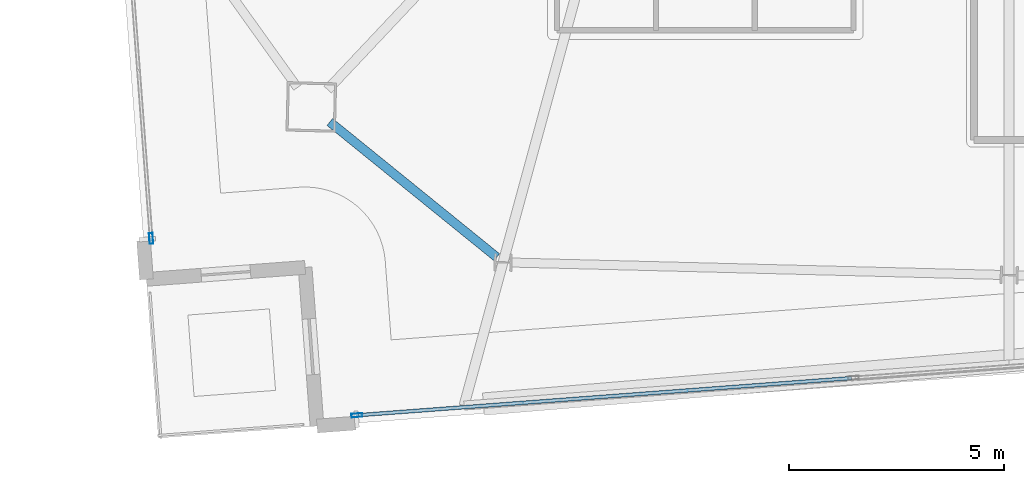
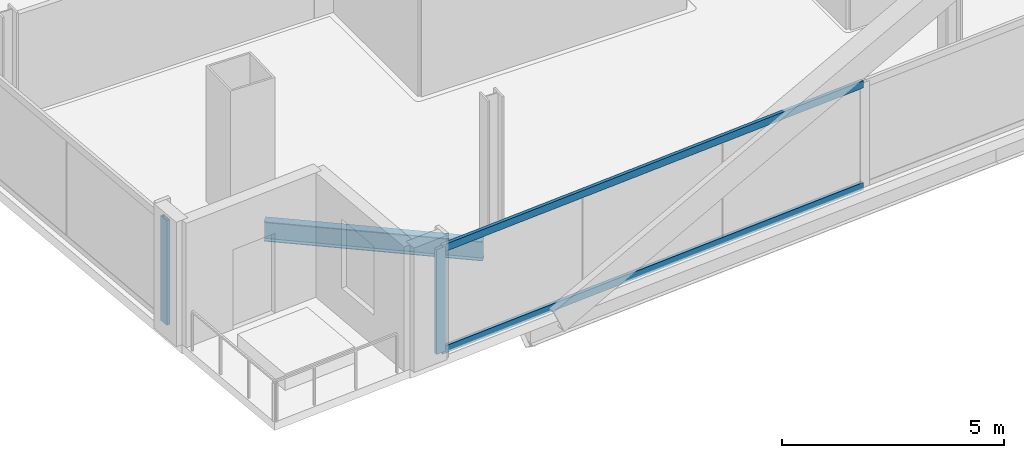
# One storey, part 2 of 23: 4 members, 1 beam, 2 elements without a shape of their own.
"""IFC4 building model written with IfcOpenShell, lengths in metres."""

from ifc_helpers import new_model, si_unit, direction, frame, origin, origin_2d, place, context, subcontext, project, spatial, hollow_rectangle, i_section, extrude, material, material_profile, profile_set, type_object, element, aggregate, save


model = new_model("IFC4")

# Units and contexts
model_context = context("Model", 3, precision=1e-05, world=origin(), true_north=direction((0.0, 1.0)))
body_context = subcontext(model_context, "Body", "Model", "MODEL_VIEW")
ifc_project = project(units=[si_unit("LENGTHUNIT", "METRE"), si_unit("AREAUNIT", "SQUARE_METRE"), si_unit("VOLUMEUNIT", "CUBIC_METRE"), si_unit("PLANEANGLEUNIT", "RADIAN"), si_unit("MASSUNIT", "GRAM", prefix="KILO")], contexts=[model_context])

# Site, building, storey
site_placement = place(None, origin())
site = spatial("IfcSite", under=ifc_project, at=site_placement, CompositionType="ELEMENT")
building_placement = place(site_placement, origin())
building = spatial("IfcBuilding", under=site, at=building_placement, Name="Haldenkirk Collegiate Tower", CompositionType="ELEMENT")
storey_placement = place(building_placement, frame((0.0, 0.0, 343.949951171875)))
storey = spatial("IfcBuildingStorey", under=building, at=storey_placement, Name="L87", CompositionType="ELEMENT", Elevation=343.949951171875)

# Beam
ifc_material_1 = material(Name="Steel ASTM A992 Grade 50", Category="steel")
ifc_material_profile_1 = material_profile(ifc_material_1, i_section(OverallWidth=0.2099609375, OverallDepth=0.537109375, WebThickness=0.010986328125, FlangeThickness=0.017333984375, at=origin_2d()), Name="W21X68")
ifc_profile_set_1 = profile_set([ifc_material_profile_1], Name="Steel ASTM A992 Grade 50")
beam_type = type_object("IfcBeamType", Name="BM-SPANDREL-W21X68", PredefinedType="SPANDREL", material=ifc_profile_set_1)
beam_placement = place(storey_placement, frame((19.767578125, 9.51708984375, -0.528564453125), z_axis=(0.776950131303, -0.629562144247, 0.0), x_axis=(0.629562144247, 0.776950131303, 0.0)))
element("IfcBeam", 1, at=beam_placement, inside=storey, type_object=beam_type, Name="L87 perimeter spandrel beam 13", PredefinedType="SPANDREL", context=body_context, shape_type="SweptSolid", body=[
    extrude(i_section(OverallWidth=0.2099609375, OverallDepth=0.537109375, WebThickness=0.010986328125, FlangeThickness=0.017333984375, at=origin_2d()), origin(), (0.0, 0.0, 1.0), 4.99755859375),
])

# Curtain wall, member
ifc_material_2 = material(Name="Anodised architectural bronze aluminium", Category="aluminium")
curtain_wall_type = type_object("IfcCurtainWallType", Name="CW-SYS1B-CONVEX-HI", PredefinedType="USERDEFINED", material=ifc_material_2)
curtain_wall_1_placement = place(storey_placement, origin())
curtain_wall_1 = element("IfcCurtainWall", 2, at=curtain_wall_1_placement, inside=storey, type_object=curtain_wall_type, Name="L87 Upper tower high-wind convex bronze unitised curtain wall", ObjectType="UNITISED CURTAIN WALL", PredefinedType="USERDEFINED")
ifc_material_profile_2 = material_profile(ifc_material_2, hollow_rectangle(XDim=0.0849609375, YDim=0.25, WallThickness=0.0048828125, at=origin_2d()), Name="CW-MUL-1B")
ifc_profile_set_2 = profile_set([ifc_material_profile_2], Name="Anodised architectural bronze aluminium")
member_type_1 = type_object("IfcMemberType", Name="CW-MUL-1B", PredefinedType="MULLION", material=ifc_profile_set_2)
member_1_placement = place(storey_placement, frame((15.611328125, 6.809814453125, 0.0), z_axis=(0.0, 0.0, 1.0), x_axis=(-0.997185231822, -0.074977419512, 0.0)))
member_1 = element("IfcMember", 3, at=member_1_placement, type_object=member_type_1, Name="CW-1B mullion 1", PredefinedType="MULLION", context=body_context, shape_type="SweptSolid", body=[
    extrude(hollow_rectangle(XDim=0.0849609375, YDim=0.25, WallThickness=0.0048828125, at=origin_2d()), origin(), (0.0, 0.0, 1.0), 2.887939453125),
])
aggregate(curtain_wall_1, [member_1])

# Curtain wall, members
curtain_wall_2_placement = place(storey_placement, origin())
curtain_wall_2 = element("IfcCurtainWall", 4, at=curtain_wall_2_placement, inside=storey, type_object=curtain_wall_type, Name="L87 Upper tower high-wind convex bronze unitised curtain wall", ObjectType="UNITISED CURTAIN WALL", PredefinedType="USERDEFINED")
member_2_placement = place(storey_placement, frame((20.39599609375, 2.694580078125, 0.0), z_axis=(0.0, 0.0, 1.0), x_axis=(0.074976425073, -0.997185306592, 0.0)))
member_2 = element("IfcMember", 5, at=member_2_placement, type_object=member_type_1, Name="CW-1B mullion 4", PredefinedType="MULLION", context=body_context, shape_type="SweptSolid", body=[
    extrude(hollow_rectangle(XDim=0.0849609375, YDim=0.25, WallThickness=0.0048828125, at=origin_2d()), origin(), (0.0, 0.0, 1.0), 2.887939453125),
])
ifc_material_profile_3 = material_profile(ifc_material_2, hollow_rectangle(XDim=0.0849609375, YDim=0.199951171875, WallThickness=0.0048828125, at=origin_2d()), Name="CW-TRN-1B")
ifc_profile_set_3 = profile_set([ifc_material_profile_3], Name="Anodised architectural bronze aluminium")
member_type_2 = type_object("IfcMemberType", Name="CW-TRN-1B", PredefinedType="USERDEFINED", material=ifc_profile_set_3)
member_3_placement = place(storey_placement, frame((31.903564453125, 3.559814453125, 0.04248046875), z_axis=(-0.997185157859, -0.074978403194, 0.0), x_axis=(0.074978403194, -0.997185157859, 0.0)))
member_3 = element("IfcMember", 6, at=member_3_placement, type_object=member_type_2, Name="CW-1B transom 3.1", ObjectType="TRANSOM", PredefinedType="USERDEFINED", context=body_context, shape_type="SweptSolid", body=[
    extrude(hollow_rectangle(XDim=0.0849609375, YDim=0.199951171875, WallThickness=0.0048828125, at=origin_2d()), origin(), (0.0, 0.0, 1.0), 11.49755859375),
])
member_4_placement = place(storey_placement, frame((31.903564453125, 3.559814453125, 2.845458984375), z_axis=(-0.997185157859, -0.074978403194, 0.0), x_axis=(0.074978403194, -0.997185157859, 0.0)))
member_4 = element("IfcMember", 7, at=member_4_placement, type_object=member_type_2, Name="CW-1B transom 3.2", ObjectType="TRANSOM", PredefinedType="USERDEFINED", context=body_context, shape_type="SweptSolid", body=[
    extrude(hollow_rectangle(XDim=0.0849609375, YDim=0.199951171875, WallThickness=0.0048828125, at=origin_2d()), origin(), (0.0, 0.0, 1.0), 11.49755859375),
])
aggregate(curtain_wall_2, [member_2, member_3, member_4])

save(model, "model.ifc")
